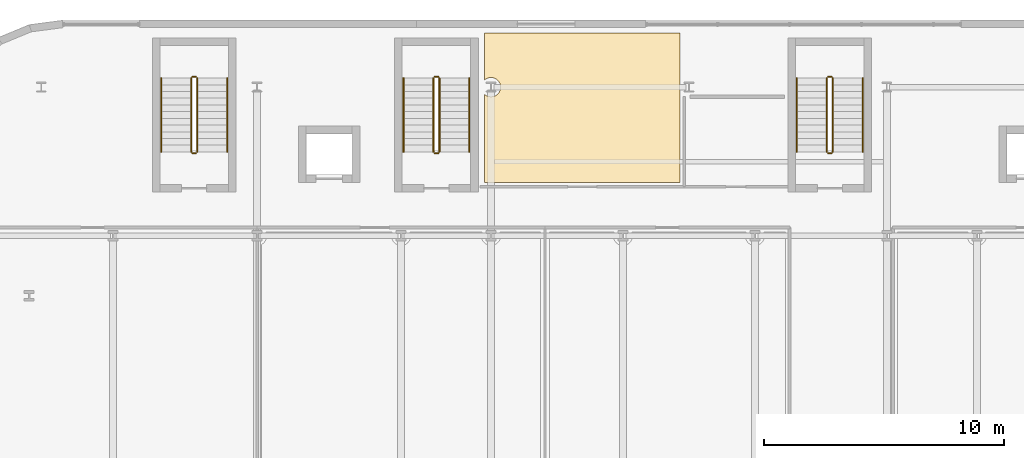
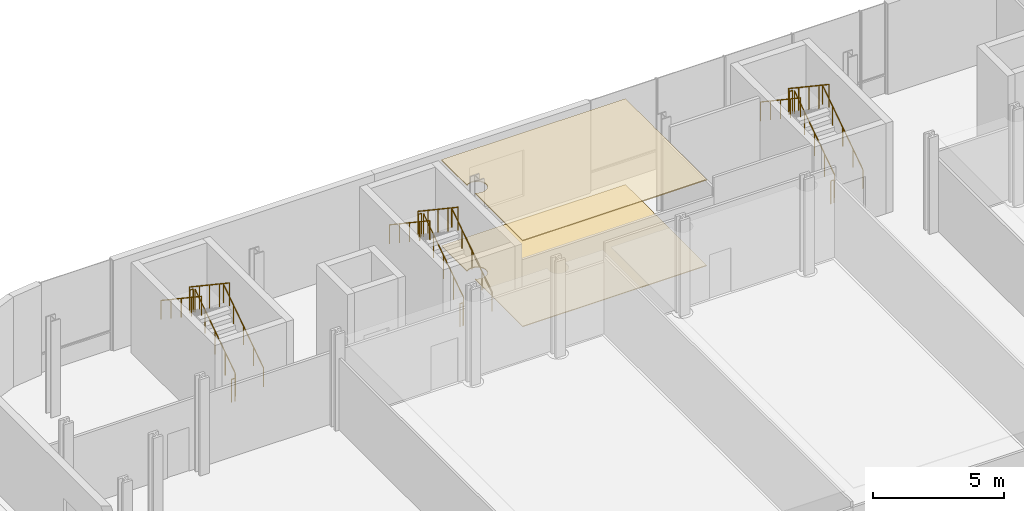
# One storey, part 24 of 26: 18 railings, 2 coverings.
"""IFC4 building model written with IfcOpenShell, lengths in metres."""

import ifcopenshell
import ifcopenshell.guid

model = None  # the IFC model being written
_history = None  # IfcOwnerHistory: only IFC2X3 demands one
_inside = {}  # id of a spatial element -> (the spatial element, [elements in it])
_under = {}  # id of a project, library or spatial element -> (it, [spatial elements below it])
_declared = {}  # id of a project -> (the project, [libraries it declares])
_typed = {}  # id of a type object -> (the type object, [elements of that type])
_made_of = {}  # id of a material, layer set ... -> (it, [elements and type objects made of it])


def new_model(schema):
    """Start an empty IFC model of exactly this schema.

    Asked for "IFC4X3", IfcOpenShell would pick the latest addendum, in which some entities
    have other attributes; the version numbers below select the first issue.
    IFC2X3 requires an IfcOwnerHistory on every rooted entity: one is made here for all.
    """
    global model, _history
    if schema == "IFC4X3":
        model = ifcopenshell.file(schema_version=(4, 3, 0, 0))
    else:
        model = ifcopenshell.file(schema=schema)
    _inside.clear()
    _under.clear()
    _declared.clear()
    _typed.clear()
    _made_of.clear()
    _history = None
    if model.schema == "IFC2X3":
        org = make("IfcOrganization", Name="unknown")
        user = make(
            "IfcPersonAndOrganization",
            ThePerson=make("IfcPerson", FamilyName="unknown"),
            TheOrganization=org,
        )
        app = make(
            "IfcApplication",
            ApplicationDeveloper=org,
            Version="unknown",
            ApplicationFullName="unknown",
            ApplicationIdentifier="unknown",
        )
        _history = make(
            "IfcOwnerHistory",
            OwningUser=user,
            OwningApplication=app,
            ChangeAction="ADDED",
            CreationDate=0,
        )
    return model


def make(cls, **values):
    """One entity of the class cls with the attributes given. An attribute that is None is left unset."""
    return model.create_entity(
        cls, **{name: value for name, value in values.items() if value is not None}
    )


def rooted(cls, **values):
    """An entity with a GlobalId (a new one), such as an element, a storey or a relation."""
    return make(cls, GlobalId=ifcopenshell.guid.new(), OwnerHistory=_history, **values)


def si_unit(unit_type, name, prefix=None):
    """IfcSIUnit, for example si_unit("LENGTHUNIT", "METRE", prefix="MILLI")."""
    return make("IfcSIUnit", UnitType=unit_type, Prefix=prefix, Name=name)


def assignment(units):
    """IfcUnitAssignment: the units of a project."""
    return None if units is None else make("IfcUnitAssignment", Units=units)


def point(xyz):
    """IfcCartesianPoint."""
    return None if xyz is None else make("IfcCartesianPoint", Coordinates=xyz)


def direction(xyz):
    """IfcDirection."""
    return None if xyz is None else make("IfcDirection", DirectionRatios=xyz)


def frame(location, z_axis=None, x_axis=None):
    """IfcAxis2Placement3D, a coordinate frame: its origin and axes. An axis left out is left unset."""
    return make(
        "IfcAxis2Placement3D",
        Location=point(location),
        Axis=direction(z_axis),
        RefDirection=direction(x_axis),
    )


def frame_2d(location, x_axis=None):
    """IfcAxis2Placement2D, a coordinate frame in the plane: its origin and x axis."""
    return make(
        "IfcAxis2Placement2D", Location=point(location), RefDirection=direction(x_axis)
    )


def origin():
    """The frame at (0, 0, 0) with its axes left unset."""
    return frame((0.0, 0.0, 0.0))


def origin_2d():
    """The frame at (0, 0) in the plane with its x axis left unset."""
    return frame_2d((0.0, 0.0))


def place(relative_to, where):
    """IfcLocalPlacement: puts the frame where relative to a parent placement (None: the world)."""
    return make(
        "IfcLocalPlacement", PlacementRelTo=relative_to, RelativePlacement=where
    )


def context(
    kind, dimensions, precision=None, world=None, true_north=None, identifier=None
):
    """IfcGeometricRepresentationContext, for example the 3D "Model" context."""
    return make(
        "IfcGeometricRepresentationContext",
        ContextIdentifier=identifier,
        ContextType=kind,
        CoordinateSpaceDimension=dimensions,
        Precision=precision,
        WorldCoordinateSystem=world,
        TrueNorth=true_north,
    )


def subcontext(parent, identifier, kind, view, scale=None):
    """IfcGeometricRepresentationSubContext, for example "Body" below "Model"."""
    return make(
        "IfcGeometricRepresentationSubContext",
        ContextIdentifier=identifier,
        ContextType=kind,
        ParentContext=parent,
        TargetScale=scale,
        TargetView=view,
    )


def project(units=None, contexts=None):
    """IfcProject with its units and contexts."""
    return rooted(
        "IfcProject",
        Name="project",
        RepresentationContexts=contexts,
        UnitsInContext=assignment(units),
    )


def spatial(cls, under=None, at=None, **own):
    """A site, building, storey or space (cls), placed at a placement, below another one or the project."""
    s = rooted(cls, ObjectPlacement=at, **own)
    if under is not None:
        _under.setdefault(under.id(), (under, []))[1].append(s)
    return s


def polyline(points):
    """IfcPolyline through the points."""
    return make("IfcPolyline", Points=[point(p) for p in points])


def profile(cls, at=None, kind="AREA", **sizes):
    """A parametric profile (cls). Its sizes go by their IFC names, for example OverallWidth=200.0."""
    return make(cls, ProfileType=kind, Position=at, **sizes)


def circle(**sizes):
    """IfcCircleProfileDef."""
    return profile("IfcCircleProfileDef", **sizes)


def outline(outer, holes=None, kind="AREA"):
    """IfcArbitraryClosedProfileDef: a profile drawn as a closed curve; with holes, ...WithVoids."""
    if holes is None:
        return make("IfcArbitraryClosedProfileDef", ProfileType=kind, OuterCurve=outer)
    return make(
        "IfcArbitraryProfileDefWithVoids",
        ProfileType=kind,
        OuterCurve=outer,
        InnerCurves=holes,
    )


def extrude(swept, where, along, depth):
    """IfcExtrudedAreaSolid: the profile swept, set in the frame where, extruded along a direction by depth."""
    return make(
        "IfcExtrudedAreaSolid",
        SweptArea=swept,
        Position=where,
        ExtrudedDirection=direction(along),
        Depth=depth,
    )


def shape(context_of_items, identifier, shape_type, items):
    """IfcShapeRepresentation: the items that make up one representation, for example the "Body"."""
    return make(
        "IfcShapeRepresentation",
        ContextOfItems=context_of_items,
        RepresentationIdentifier=identifier,
        RepresentationType=shape_type,
        Items=items,
    )


def material(Name=None, Category=None):
    """IfcMaterial."""
    return make("IfcMaterial", Name=Name, Category=Category)


def layer(
    of_material, thickness, ventilated=None, Name=None, Category=None, Priority=None
):
    """IfcMaterialLayer: one layer of a wall or slab, of a material (None: an air gap)."""
    return make(
        "IfcMaterialLayer",
        Material=of_material,
        LayerThickness=thickness,
        IsVentilated=ventilated,
        Name=Name,
        Category=Category,
        Priority=Priority,
    )


def layer_set(layers, Name=None):
    """IfcMaterialLayerSet."""
    return make("IfcMaterialLayerSet", MaterialLayers=layers, LayerSetName=Name)


def made_of(thing, what):
    """Note that an element or type object is made of a material, layer set ...; save() writes the relation."""
    if what is not None:
        _made_of.setdefault(what.id(), (what, []))[1].append(thing)
    return thing


def type_object(cls, material=None, **own):
    """A type object (cls), such as IfcWallType, which elements share."""
    return made_of(rooted(cls, **own), material)


def element(
    cls,
    number,
    at=None,
    inside=None,
    cuts=None,
    type_object=None,
    material=None,
    context=None,
    identifier="Body",
    shape_type=None,
    held_by="IfcProductDefinitionShape",
    body=None,
    shapes=None,
    **own,
):
    """One element of the class cls, such as IfcWall. Its Tag is "e" and its number.

    at: its placement. inside: the storey or other place that contains it. cuts: it is an
    opening in that element (IfcRelVoidsElement). A single representation is given by context,
    identifier, shape_type and body (its items); several are given by shapes. held_by: the class
    of the entity that holds the representations. save() writes the other relations.
    """
    e = rooted(cls, Tag="e%d" % number, ObjectPlacement=at, **own)
    if body is not None:
        shapes = [shape(context, identifier, shape_type, body)]
    if shapes is not None:
        e.Representation = make(held_by, Representations=shapes)
    if inside is not None:
        _inside.setdefault(inside.id(), (inside, []))[1].append(e)
    if cuts is not None:
        rooted(
            "IfcRelVoidsElement", RelatingBuildingElement=cuts, RelatedOpeningElement=e
        )
    if type_object is not None:
        _typed.setdefault(type_object.id(), (type_object, []))[1].append(e)
    return made_of(e, material)


def aggregate(whole, parts):
    """IfcRelAggregates: a whole, such as a stair, and the parts it consists of."""
    return rooted("IfcRelAggregates", RelatingObject=whole, RelatedObjects=parts)


def save(model, path):
    """Write the relations noted so far, then the file.

    IfcRelAggregates (storeys below a building ...), IfcRelContainedInSpatialStructure (elements
    in a storey), IfcRelDefinesByType, IfcRelAssociatesMaterial and IfcRelDeclares: one each for
    every whole, place, type object, material and project.
    """
    for whole, parts in _under.values():
        aggregate(whole, parts)
    for where, things in _inside.values():
        rooted(
            "IfcRelContainedInSpatialStructure",
            RelatedElements=things,
            RelatingStructure=where,
        )
    for kind, things in _typed.values():
        rooted("IfcRelDefinesByType", RelatedObjects=things, RelatingType=kind)
    for what, things in _made_of.values():
        rooted("IfcRelAssociatesMaterial", RelatedObjects=things, RelatingMaterial=what)
    for by, libraries in _declared.values():
        rooted("IfcRelDeclares", RelatingContext=by, RelatedDefinitions=libraries)
    model.write(path)


model = new_model("IFC4")

# Units and contexts
model_context = context("Model", 3, precision=1e-05, world=origin(), true_north=direction((0.0, 1.0)))
body_context = subcontext(model_context, "Body", "Model", "MODEL_VIEW")
ifc_project = project(units=[si_unit("LENGTHUNIT", "METRE"), si_unit("AREAUNIT", "SQUARE_METRE"), si_unit("VOLUMEUNIT", "CUBIC_METRE"), si_unit("PLANEANGLEUNIT", "RADIAN"), si_unit("MASSUNIT", "GRAM", prefix="KILO")], contexts=[model_context])

# Site, building, storey
site_placement = place(None, origin())
site = spatial("IfcSite", under=ifc_project, at=site_placement, CompositionType="ELEMENT")
building_placement = place(site_placement, origin())
building = spatial("IfcBuilding", under=site, at=building_placement, Name="Brevholm Reach", CompositionType="ELEMENT")
storey_placement = place(building_placement, frame((0.0, 0.0, 18.0)))
storey = spatial("IfcBuildingStorey", under=building, at=storey_placement, Name="L04", CompositionType="ELEMENT", Elevation=18.0)

# Coverings
ifc_material_1 = material(Name="Perforated Mineral-Fibre Class-A Acoustic Suspended Ceiling", Category="gypsum")
ifc_layer_1 = layer(ifc_material_1, 0.044921875)
ifc_layer_set_1 = layer_set([ifc_layer_1], Name="Perforated Mineral-Fibre Class-A Acoustic Suspended Ceiling")
covering_type_1 = type_object("IfcCoveringType", Name="COV-CLG-AC", PredefinedType="CEILING", material=ifc_layer_set_1)
covering_1_placement = place(storey_placement, frame((0.0, 0.0, 4.0048828125)))
element("IfcCovering", 1, at=covering_1_placement, inside=storey, type_object=covering_type_1, Name="L04 Suspended Ceiling L04-24", PredefinedType="CEILING", context=body_context, shape_type="SweptSolid", body=[
    extrude(outline(polyline([(21.47998046875, 36.905517578125), (21.49609375, 36.890869140625), (21.52783203125, 36.867431640625), (21.561279296875, 36.84716796875), (21.596923828125, 36.830322265625), (21.6337890625, 36.817138671875), (21.672119140625, 36.8076171875), (21.710693359375, 36.802001953125), (21.75, 36.800048828125), (21.789306640625, 36.802001953125), (21.827880859375, 36.8076171875), (21.8662109375, 36.817138671875), (21.903076171875, 36.830322265625), (21.938720703125, 36.84716796875), (21.97216796875, 36.867431640625), (22.00390625, 36.890869140625), (22.03271484375, 36.917236328125), (22.05908203125, 36.9462890625), (22.08251953125, 36.977783203125), (22.102783203125, 37.011474609375), (22.11962890625, 37.046875), (22.1328125, 37.083984375), (22.142333984375, 37.1220703125), (22.148193359375, 37.160888671875), (22.14990234375, 37.199951171875), (22.148193359375, 37.2392578125), (22.142333984375, 37.278076171875), (22.1328125, 37.316162109375), (22.11962890625, 37.35302734375), (22.102783203125, 37.388671875), (22.08251953125, 37.422119140625), (22.05908203125, 37.453857421875), (22.03271484375, 37.48291015625), (22.00390625, 37.50927734375), (21.97216796875, 37.53271484375), (21.938720703125, 37.552734375), (21.903076171875, 37.569580078125), (21.8662109375, 37.582763671875), (21.827880859375, 37.59228515625), (21.789306640625, 37.59814453125), (21.75, 37.60009765625), (21.710693359375, 37.59814453125), (21.672119140625, 37.59228515625), (21.6337890625, 37.582763671875), (21.596923828125, 37.569580078125), (21.561279296875, 37.552734375), (21.52783203125, 37.53271484375), (21.49609375, 37.50927734375), (21.47998046875, 37.494384765625), (21.47998046875, 39.4599609375), (29.6201171875, 39.4599609375), (29.6201171875, 37.323974609375), (29.6171875, 37.316162109375), (29.607666015625, 37.278076171875), (29.601806640625, 37.2392578125), (29.60009765625, 37.199951171875), (29.601806640625, 37.160888671875), (29.607666015625, 37.1220703125), (29.6171875, 37.083984375), (29.6201171875, 37.076171875), (29.6201171875, 33.23388671875), (21.47998046875, 33.23388671875), (21.47998046875, 36.905517578125)])), origin(), (0.0, 0.0, 1.0), 0.045166015625),
])
ifc_material_2 = material(Name="Honed Portland-Aggregate Resin Terrazzo Flooring", Category="concrete")
ifc_layer_2 = layer(ifc_material_2, 0.031982421875)
ifc_layer_set_2 = layer_set([ifc_layer_2], Name="Honed Portland-Aggregate Resin Terrazzo Flooring")
covering_type_2 = type_object("IfcCoveringType", Name="COV-FLR-TRZ", PredefinedType="FLOORING", material=ifc_layer_set_2)
covering_2_placement = place(storey_placement, origin())
element("IfcCovering", 2, at=covering_2_placement, inside=storey, type_object=covering_type_2, Name="L04 Floor Finish L04-24", PredefinedType="FLOORING", context=body_context, shape_type="SweptSolid", body=[
    extrude(outline(polyline([(21.47998046875, 36.905517578125), (21.49609375, 36.890869140625), (21.52783203125, 36.867431640625), (21.561279296875, 36.84716796875), (21.596923828125, 36.830322265625), (21.6337890625, 36.817138671875), (21.672119140625, 36.8076171875), (21.710693359375, 36.802001953125), (21.75, 36.800048828125), (21.789306640625, 36.802001953125), (21.827880859375, 36.8076171875), (21.8662109375, 36.817138671875), (21.903076171875, 36.830322265625), (21.938720703125, 36.84716796875), (21.97216796875, 36.867431640625), (22.00390625, 36.890869140625), (22.03271484375, 36.917236328125), (22.05908203125, 36.9462890625), (22.08251953125, 36.977783203125), (22.102783203125, 37.011474609375), (22.11962890625, 37.046875), (22.1328125, 37.083984375), (22.142333984375, 37.1220703125), (22.148193359375, 37.160888671875), (22.14990234375, 37.199951171875), (22.148193359375, 37.2392578125), (22.142333984375, 37.278076171875), (22.1328125, 37.316162109375), (22.11962890625, 37.35302734375), (22.102783203125, 37.388671875), (22.08251953125, 37.422119140625), (22.05908203125, 37.453857421875), (22.03271484375, 37.48291015625), (22.00390625, 37.50927734375), (21.97216796875, 37.53271484375), (21.938720703125, 37.552734375), (21.903076171875, 37.569580078125), (21.8662109375, 37.582763671875), (21.827880859375, 37.59228515625), (21.789306640625, 37.59814453125), (21.75, 37.60009765625), (21.710693359375, 37.59814453125), (21.672119140625, 37.59228515625), (21.6337890625, 37.582763671875), (21.596923828125, 37.569580078125), (21.561279296875, 37.552734375), (21.52783203125, 37.53271484375), (21.49609375, 37.50927734375), (21.47998046875, 37.494384765625), (21.47998046875, 39.4599609375), (29.6201171875, 39.4599609375), (29.6201171875, 37.323974609375), (29.6171875, 37.316162109375), (29.607666015625, 37.278076171875), (29.601806640625, 37.2392578125), (29.60009765625, 37.199951171875), (29.601806640625, 37.160888671875), (29.607666015625, 37.1220703125), (29.6171875, 37.083984375), (29.6201171875, 37.076171875), (29.6201171875, 33.23388671875), (21.47998046875, 33.23388671875), (21.47998046875, 36.905517578125)])), origin(), (0.0, 0.0, 1.0), 0.031982421875),
])

# Railings
ifc_material_3 = material(Name="Brushed Stainless Steel EN 1.4401 Continuous Handrail", Category="steel")
railing_type_1 = type_object("IfcRailingType", Name="RAL-HND-950", PredefinedType="HANDRAIL", material=ifc_material_3)
railing_1_placement = place(storey_placement, frame((10.75, 34.5, 0.1875)))
element("IfcRailing", 3, at=railing_1_placement, inside=storey, type_object=railing_type_1, Name="L04 ST-S1 stair handrail 1", PredefinedType="HANDRAIL", context=body_context, shape_type="SweptSolid", body=[
    extrude(circle(Radius=0.02392578125, at=origin_2d()), frame((0.0, 0.0, 0.8857421875), z_axis=(0.0, 0.830913701846, 0.55640131208), x_axis=(-1.0, 0.0, 0.0)), (0.0, 0.0, 1.0), 3.706787109375),
    extrude(circle(Radius=0.02099609375, at=origin_2d()), origin(), (0.0, 0.0, 1.0), 0.86181640625),
    extrude(circle(Radius=0.02099609375, at=origin_2d()), frame((0.0, 0.77001953125, 0.515625)), (0.0, 0.0, 1.0), 0.86181640625),
    extrude(circle(Radius=0.02099609375, at=origin_2d()), frame((0.0, 1.5400390625, 1.03125)), (0.0, 0.0, 1.0), 0.86181640625),
    extrude(circle(Radius=0.02099609375, at=origin_2d()), frame((0.0, 2.31005859375, 1.546875)), (0.0, 0.0, 1.0), 0.86181640625),
    extrude(circle(Radius=0.02099609375, at=origin_2d()), frame((0.0, 3.080078125, 2.0625)), (0.0, 0.0, 1.0), 0.86181640625),
])
railing_2_placement = place(storey_placement, frame((8.0, 37.580078125, 2.4375)))
element("IfcRailing", 4, at=railing_2_placement, inside=storey, type_object=railing_type_1, Name="L04 ST-S1 stair handrail 2", PredefinedType="HANDRAIL", context=body_context, shape_type="SweptSolid", body=[
    extrude(circle(Radius=0.02392578125, at=origin_2d()), frame((0.0, 0.0, 0.8857421875), z_axis=(0.0, -0.830913701846, 0.55640131208), x_axis=(1.0, 0.0, 0.0)), (0.0, 0.0, 1.0), 3.706787109375),
    extrude(circle(Radius=0.02099609375, at=origin_2d()), origin(), (0.0, 0.0, 1.0), 0.86181640625),
    extrude(circle(Radius=0.02099609375, at=origin_2d()), frame((0.0, -0.77001953125, 0.515625)), (0.0, 0.0, 1.0), 0.86181640625),
    extrude(circle(Radius=0.02099609375, at=origin_2d()), frame((0.0, -1.5400390625, 1.03125)), (0.0, 0.0, 1.0), 0.86181640625),
    extrude(circle(Radius=0.02099609375, at=origin_2d()), frame((0.0, -2.31005859375, 1.546875)), (0.0, 0.0, 1.0), 0.86181640625),
    extrude(circle(Radius=0.02099609375, at=origin_2d()), frame((0.0, -3.080078125, 2.0625)), (0.0, 0.0, 1.0), 0.86181640625),
])
railing_3_placement = place(storey_placement, frame((20.85009765625, 34.5, 0.1875)))
element("IfcRailing", 5, at=railing_3_placement, inside=storey, type_object=railing_type_1, Name="L04 ST-S2 stair handrail 1", PredefinedType="HANDRAIL", context=body_context, shape_type="SweptSolid", body=[
    extrude(circle(Radius=0.02392578125, at=origin_2d()), frame((0.0, 0.0, 0.8857421875), z_axis=(0.0, 0.830913701846, 0.55640131208), x_axis=(-1.0, 0.0, 0.0)), (0.0, 0.0, 1.0), 3.706787109375),
    extrude(circle(Radius=0.02099609375, at=origin_2d()), origin(), (0.0, 0.0, 1.0), 0.86181640625),
    extrude(circle(Radius=0.02099609375, at=origin_2d()), frame((0.0, 0.77001953125, 0.515625)), (0.0, 0.0, 1.0), 0.86181640625),
    extrude(circle(Radius=0.02099609375, at=origin_2d()), frame((0.0, 1.5400390625, 1.03125)), (0.0, 0.0, 1.0), 0.86181640625),
    extrude(circle(Radius=0.02099609375, at=origin_2d()), frame((0.0, 2.31005859375, 1.546875)), (0.0, 0.0, 1.0), 0.86181640625),
    extrude(circle(Radius=0.02099609375, at=origin_2d()), frame((0.0, 3.080078125, 2.0625)), (0.0, 0.0, 1.0), 0.86181640625),
])
railing_4_placement = place(storey_placement, frame((18.10009765625, 37.580078125, 2.4375)))
element("IfcRailing", 6, at=railing_4_placement, inside=storey, type_object=railing_type_1, Name="L04 ST-S2 stair handrail 2", PredefinedType="HANDRAIL", context=body_context, shape_type="SweptSolid", body=[
    extrude(circle(Radius=0.02392578125, at=origin_2d()), frame((0.0, 0.0, 0.8857421875), z_axis=(0.0, -0.830913701846, 0.55640131208), x_axis=(1.0, 0.0, 0.0)), (0.0, 0.0, 1.0), 3.706787109375),
    extrude(circle(Radius=0.02099609375, at=origin_2d()), origin(), (0.0, 0.0, 1.0), 0.86181640625),
    extrude(circle(Radius=0.02099609375, at=origin_2d()), frame((0.0, -0.77001953125, 0.515625)), (0.0, 0.0, 1.0), 0.86181640625),
    extrude(circle(Radius=0.02099609375, at=origin_2d()), frame((0.0, -1.5400390625, 1.03125)), (0.0, 0.0, 1.0), 0.86181640625),
    extrude(circle(Radius=0.02099609375, at=origin_2d()), frame((0.0, -2.31005859375, 1.546875)), (0.0, 0.0, 1.0), 0.86181640625),
    extrude(circle(Radius=0.02099609375, at=origin_2d()), frame((0.0, -3.080078125, 2.0625)), (0.0, 0.0, 1.0), 0.86181640625),
])
railing_5_placement = place(storey_placement, frame((37.25, 34.5, 0.1875)))
element("IfcRailing", 7, at=railing_5_placement, inside=storey, type_object=railing_type_1, Name="L04 ST-S3 stair handrail 1", PredefinedType="HANDRAIL", context=body_context, shape_type="SweptSolid", body=[
    extrude(circle(Radius=0.02392578125, at=origin_2d()), frame((0.0, 0.0, 0.8857421875), z_axis=(0.0, 0.830913701846, 0.55640131208), x_axis=(-1.0, 0.0, 0.0)), (0.0, 0.0, 1.0), 3.706787109375),
    extrude(circle(Radius=0.02099609375, at=origin_2d()), origin(), (0.0, 0.0, 1.0), 0.86181640625),
    extrude(circle(Radius=0.02099609375, at=origin_2d()), frame((0.0, 0.77001953125, 0.515625)), (0.0, 0.0, 1.0), 0.86181640625),
    extrude(circle(Radius=0.02099609375, at=origin_2d()), frame((0.0, 1.5400390625, 1.03125)), (0.0, 0.0, 1.0), 0.86181640625),
    extrude(circle(Radius=0.02099609375, at=origin_2d()), frame((0.0, 2.31005859375, 1.546875)), (0.0, 0.0, 1.0), 0.86181640625),
    extrude(circle(Radius=0.02099609375, at=origin_2d()), frame((0.0, 3.080078125, 2.0625)), (0.0, 0.0, 1.0), 0.86181640625),
])
railing_6_placement = place(storey_placement, frame((34.5, 37.580078125, 2.4375)))
element("IfcRailing", 8, at=railing_6_placement, inside=storey, type_object=railing_type_1, Name="L04 ST-S3 stair handrail 2", PredefinedType="HANDRAIL", context=body_context, shape_type="SweptSolid", body=[
    extrude(circle(Radius=0.02392578125, at=origin_2d()), frame((0.0, 0.0, 0.8857421875), z_axis=(0.0, -0.830913701846, 0.55640131208), x_axis=(1.0, 0.0, 0.0)), (0.0, 0.0, 1.0), 3.706787109375),
    extrude(circle(Radius=0.02099609375, at=origin_2d()), origin(), (0.0, 0.0, 1.0), 0.86181640625),
    extrude(circle(Radius=0.02099609375, at=origin_2d()), frame((0.0, -0.77001953125, 0.515625)), (0.0, 0.0, 1.0), 0.86181640625),
    extrude(circle(Radius=0.02099609375, at=origin_2d()), frame((0.0, -1.5400390625, 1.03125)), (0.0, 0.0, 1.0), 0.86181640625),
    extrude(circle(Radius=0.02099609375, at=origin_2d()), frame((0.0, -2.31005859375, 1.546875)), (0.0, 0.0, 1.0), 0.86181640625),
    extrude(circle(Radius=0.02099609375, at=origin_2d()), frame((0.0, -3.080078125, 2.0625)), (0.0, 0.0, 1.0), 0.86181640625),
])
ifc_material_4 = material(Name="Painted Tubular Galvanised Steel S275JR Stair Guard", Category="steel")
railing_type_2 = type_object("IfcRailingType", Name="RAL-STG-1120", PredefinedType="BALUSTRADE", material=ifc_material_4)
railing_7_placement = place(storey_placement, frame((9.5, 34.5, 0.1875)))
element("IfcRailing", 9, at=railing_7_placement, inside=storey, type_object=railing_type_2, Name="L04 ST-S1 stair guard 1", PredefinedType="BALUSTRADE", context=body_context, shape_type="SweptSolid", body=[
    extrude(circle(Radius=0.02392578125, at=origin_2d()), frame((0.0, 0.0, 1.076171875), z_axis=(0.0, 0.830913701846, 0.55640131208), x_axis=(-1.0, 0.0, 0.0)), (0.0, 0.0, 1.0), 3.706787109375),
    extrude(circle(Radius=0.02099609375, at=origin_2d()), origin(), (0.0, 0.0, 1.0), 1.052001953125),
    extrude(circle(Radius=0.02099609375, at=origin_2d()), frame((0.0, 0.77001953125, 0.515625)), (0.0, 0.0, 1.0), 1.052001953125),
    extrude(circle(Radius=0.02099609375, at=origin_2d()), frame((0.0, 1.5400390625, 1.03125)), (0.0, 0.0, 1.0), 1.052001953125),
    extrude(circle(Radius=0.02099609375, at=origin_2d()), frame((0.0, 2.31005859375, 1.546875)), (0.0, 0.0, 1.0), 1.052001953125),
    extrude(circle(Radius=0.02099609375, at=origin_2d()), frame((0.0, 3.080078125, 2.0625)), (0.0, 0.0, 1.0), 1.052001953125),
])
railing_8_placement = place(storey_placement, frame((9.449951171875, 37.6298828125, 2.25)))
element("IfcRailing", 10, at=railing_8_placement, inside=storey, type_object=railing_type_2, Name="L04 ST-S1 stair guard 2", PredefinedType="BALUSTRADE", context=body_context, shape_type="SweptSolid", body=[
    extrude(circle(Radius=0.02392578125, at=origin_2d()), frame((0.0, 0.0, 1.076171875), z_axis=(-1.0, 0.0, 0.0), x_axis=(0.0, -1.0, 0.0)), (0.0, 0.0, 1.0), 0.14990234375),
    extrude(circle(Radius=0.02099609375, at=origin_2d()), origin(), (0.0, 0.0, 1.0), 1.052001953125),
    extrude(circle(Radius=0.02099609375, at=origin_2d()), frame((-0.14990234375, 0.0, 0.0)), (0.0, 0.0, 1.0), 1.052001953125),
])
railing_9_placement = place(storey_placement, frame((9.25, 37.580078125, 2.4375)))
element("IfcRailing", 11, at=railing_9_placement, inside=storey, type_object=railing_type_2, Name="L04 ST-S1 stair guard 3", PredefinedType="BALUSTRADE", context=body_context, shape_type="SweptSolid", body=[
    extrude(circle(Radius=0.02392578125, at=origin_2d()), frame((0.0, 0.0, 1.076171875), z_axis=(0.0, -0.830913701846, 0.55640131208), x_axis=(1.0, 0.0, 0.0)), (0.0, 0.0, 1.0), 3.706787109375),
    extrude(circle(Radius=0.02099609375, at=origin_2d()), origin(), (0.0, 0.0, 1.0), 1.052001953125),
    extrude(circle(Radius=0.02099609375, at=origin_2d()), frame((0.0, -0.77001953125, 0.515625)), (0.0, 0.0, 1.0), 1.052001953125),
    extrude(circle(Radius=0.02099609375, at=origin_2d()), frame((0.0, -1.5400390625, 1.03125)), (0.0, 0.0, 1.0), 1.052001953125),
    extrude(circle(Radius=0.02099609375, at=origin_2d()), frame((0.0, -2.31005859375, 1.546875)), (0.0, 0.0, 1.0), 1.052001953125),
    extrude(circle(Radius=0.02099609375, at=origin_2d()), frame((0.0, -3.080078125, 2.0625)), (0.0, 0.0, 1.0), 1.052001953125),
])
railing_10_placement = place(storey_placement, frame((9.449951171875, 34.449951171875, 0.0)))
element("IfcRailing", 12, at=railing_10_placement, inside=storey, type_object=railing_type_2, Name="L04 ST-S1 stair guard 4", PredefinedType="BALUSTRADE", context=body_context, shape_type="SweptSolid", body=[
    extrude(circle(Radius=0.02392578125, at=origin_2d()), frame((0.0, 0.0, 1.076171875), z_axis=(-1.0, 0.0, 0.0), x_axis=(0.0, -1.0, 0.0)), (0.0, 0.0, 1.0), 0.14990234375),
    extrude(circle(Radius=0.02099609375, at=origin_2d()), origin(), (0.0, 0.0, 1.0), 1.052001953125),
    extrude(circle(Radius=0.02099609375, at=origin_2d()), frame((-0.14990234375, 0.0, 0.0)), (0.0, 0.0, 1.0), 1.052001953125),
])
railing_11_placement = place(storey_placement, frame((19.60009765625, 34.5, 0.1875)))
element("IfcRailing", 13, at=railing_11_placement, inside=storey, type_object=railing_type_2, Name="L04 ST-S2 stair guard 1", PredefinedType="BALUSTRADE", context=body_context, shape_type="SweptSolid", body=[
    extrude(circle(Radius=0.02392578125, at=origin_2d()), frame((0.0, 0.0, 1.076171875), z_axis=(0.0, 0.830913701846, 0.55640131208), x_axis=(-1.0, 0.0, 0.0)), (0.0, 0.0, 1.0), 3.706787109375),
    extrude(circle(Radius=0.02099609375, at=origin_2d()), origin(), (0.0, 0.0, 1.0), 1.052001953125),
    extrude(circle(Radius=0.02099609375, at=origin_2d()), frame((0.0, 0.77001953125, 0.515625)), (0.0, 0.0, 1.0), 1.052001953125),
    extrude(circle(Radius=0.02099609375, at=origin_2d()), frame((0.0, 1.5400390625, 1.03125)), (0.0, 0.0, 1.0), 1.052001953125),
    extrude(circle(Radius=0.02099609375, at=origin_2d()), frame((0.0, 2.31005859375, 1.546875)), (0.0, 0.0, 1.0), 1.052001953125),
    extrude(circle(Radius=0.02099609375, at=origin_2d()), frame((0.0, 3.080078125, 2.0625)), (0.0, 0.0, 1.0), 1.052001953125),
])
railing_12_placement = place(storey_placement, frame((19.550048828125, 37.6298828125, 2.25)))
element("IfcRailing", 14, at=railing_12_placement, inside=storey, type_object=railing_type_2, Name="L04 ST-S2 stair guard 2", PredefinedType="BALUSTRADE", context=body_context, shape_type="SweptSolid", body=[
    extrude(circle(Radius=0.02392578125, at=origin_2d()), frame((0.0, 0.0, 1.076171875), z_axis=(-1.0, 0.0, 0.0), x_axis=(0.0, -1.0, 0.0)), (0.0, 0.0, 1.0), 0.150146484375),
    extrude(circle(Radius=0.02099609375, at=origin_2d()), origin(), (0.0, 0.0, 1.0), 1.052001953125),
    extrude(circle(Radius=0.02099609375, at=origin_2d()), frame((-0.150146484375, 0.0, 0.0)), (0.0, 0.0, 1.0), 1.052001953125),
])
railing_13_placement = place(storey_placement, frame((19.35009765625, 37.580078125, 2.4375)))
element("IfcRailing", 15, at=railing_13_placement, inside=storey, type_object=railing_type_2, Name="L04 ST-S2 stair guard 3", PredefinedType="BALUSTRADE", context=body_context, shape_type="SweptSolid", body=[
    extrude(circle(Radius=0.02392578125, at=origin_2d()), frame((0.0, 0.0, 1.076171875), z_axis=(0.0, -0.830913701846, 0.55640131208), x_axis=(1.0, 0.0, 0.0)), (0.0, 0.0, 1.0), 3.706787109375),
    extrude(circle(Radius=0.02099609375, at=origin_2d()), origin(), (0.0, 0.0, 1.0), 1.052001953125),
    extrude(circle(Radius=0.02099609375, at=origin_2d()), frame((0.0, -0.77001953125, 0.515625)), (0.0, 0.0, 1.0), 1.052001953125),
    extrude(circle(Radius=0.02099609375, at=origin_2d()), frame((0.0, -1.5400390625, 1.03125)), (0.0, 0.0, 1.0), 1.052001953125),
    extrude(circle(Radius=0.02099609375, at=origin_2d()), frame((0.0, -2.31005859375, 1.546875)), (0.0, 0.0, 1.0), 1.052001953125),
    extrude(circle(Radius=0.02099609375, at=origin_2d()), frame((0.0, -3.080078125, 2.0625)), (0.0, 0.0, 1.0), 1.052001953125),
])
railing_14_placement = place(storey_placement, frame((19.550048828125, 34.449951171875, 0.0)))
element("IfcRailing", 16, at=railing_14_placement, inside=storey, type_object=railing_type_2, Name="L04 ST-S2 stair guard 4", PredefinedType="BALUSTRADE", context=body_context, shape_type="SweptSolid", body=[
    extrude(circle(Radius=0.02392578125, at=origin_2d()), frame((0.0, 0.0, 1.076171875), z_axis=(-1.0, 0.0, 0.0), x_axis=(0.0, -1.0, 0.0)), (0.0, 0.0, 1.0), 0.150146484375),
    extrude(circle(Radius=0.02099609375, at=origin_2d()), origin(), (0.0, 0.0, 1.0), 1.052001953125),
    extrude(circle(Radius=0.02099609375, at=origin_2d()), frame((-0.150146484375, 0.0, 0.0)), (0.0, 0.0, 1.0), 1.052001953125),
])
railing_15_placement = place(storey_placement, frame((36.0, 34.5, 0.1875)))
element("IfcRailing", 17, at=railing_15_placement, inside=storey, type_object=railing_type_2, Name="L04 ST-S3 stair guard 1", PredefinedType="BALUSTRADE", context=body_context, shape_type="SweptSolid", body=[
    extrude(circle(Radius=0.02392578125, at=origin_2d()), frame((0.0, 0.0, 1.076171875), z_axis=(0.0, 0.830913701846, 0.55640131208), x_axis=(-1.0, 0.0, 0.0)), (0.0, 0.0, 1.0), 3.706787109375),
    extrude(circle(Radius=0.02099609375, at=origin_2d()), origin(), (0.0, 0.0, 1.0), 1.052001953125),
    extrude(circle(Radius=0.02099609375, at=origin_2d()), frame((0.0, 0.77001953125, 0.515625)), (0.0, 0.0, 1.0), 1.052001953125),
    extrude(circle(Radius=0.02099609375, at=origin_2d()), frame((0.0, 1.5400390625, 1.03125)), (0.0, 0.0, 1.0), 1.052001953125),
    extrude(circle(Radius=0.02099609375, at=origin_2d()), frame((0.0, 2.31005859375, 1.546875)), (0.0, 0.0, 1.0), 1.052001953125),
    extrude(circle(Radius=0.02099609375, at=origin_2d()), frame((0.0, 3.080078125, 2.0625)), (0.0, 0.0, 1.0), 1.052001953125),
])
railing_16_placement = place(storey_placement, frame((35.949951171875, 37.6298828125, 2.25)))
element("IfcRailing", 18, at=railing_16_placement, inside=storey, type_object=railing_type_2, Name="L04 ST-S3 stair guard 2", PredefinedType="BALUSTRADE", context=body_context, shape_type="SweptSolid", body=[
    extrude(circle(Radius=0.02392578125, at=origin_2d()), frame((0.0, 0.0, 1.076171875), z_axis=(-1.0, 0.0, 0.0), x_axis=(0.0, -1.0, 0.0)), (0.0, 0.0, 1.0), 0.14990234375),
    extrude(circle(Radius=0.02099609375, at=origin_2d()), origin(), (0.0, 0.0, 1.0), 1.052001953125),
    extrude(circle(Radius=0.02099609375, at=origin_2d()), frame((-0.14990234375, 0.0, 0.0)), (0.0, 0.0, 1.0), 1.052001953125),
])
railing_17_placement = place(storey_placement, frame((35.75, 37.580078125, 2.4375)))
element("IfcRailing", 19, at=railing_17_placement, inside=storey, type_object=railing_type_2, Name="L04 ST-S3 stair guard 3", PredefinedType="BALUSTRADE", context=body_context, shape_type="SweptSolid", body=[
    extrude(circle(Radius=0.02392578125, at=origin_2d()), frame((0.0, 0.0, 1.076171875), z_axis=(0.0, -0.830913701846, 0.55640131208), x_axis=(1.0, 0.0, 0.0)), (0.0, 0.0, 1.0), 3.706787109375),
    extrude(circle(Radius=0.02099609375, at=origin_2d()), origin(), (0.0, 0.0, 1.0), 1.052001953125),
    extrude(circle(Radius=0.02099609375, at=origin_2d()), frame((0.0, -0.77001953125, 0.515625)), (0.0, 0.0, 1.0), 1.052001953125),
    extrude(circle(Radius=0.02099609375, at=origin_2d()), frame((0.0, -1.5400390625, 1.03125)), (0.0, 0.0, 1.0), 1.052001953125),
    extrude(circle(Radius=0.02099609375, at=origin_2d()), frame((0.0, -2.31005859375, 1.546875)), (0.0, 0.0, 1.0), 1.052001953125),
    extrude(circle(Radius=0.02099609375, at=origin_2d()), frame((0.0, -3.080078125, 2.0625)), (0.0, 0.0, 1.0), 1.052001953125),
])
railing_18_placement = place(storey_placement, frame((35.949951171875, 34.449951171875, 0.0)))
element("IfcRailing", 20, at=railing_18_placement, inside=storey, type_object=railing_type_2, Name="L04 ST-S3 stair guard 4", PredefinedType="BALUSTRADE", context=body_context, shape_type="SweptSolid", body=[
    extrude(circle(Radius=0.02392578125, at=origin_2d()), frame((0.0, 0.0, 1.076171875), z_axis=(-1.0, 0.0, 0.0), x_axis=(0.0, -1.0, 0.0)), (0.0, 0.0, 1.0), 0.14990234375),
    extrude(circle(Radius=0.02099609375, at=origin_2d()), origin(), (0.0, 0.0, 1.0), 1.052001953125),
    extrude(circle(Radius=0.02099609375, at=origin_2d()), frame((-0.14990234375, 0.0, 0.0)), (0.0, 0.0, 1.0), 1.052001953125),
])

save(model, "model.ifc")
